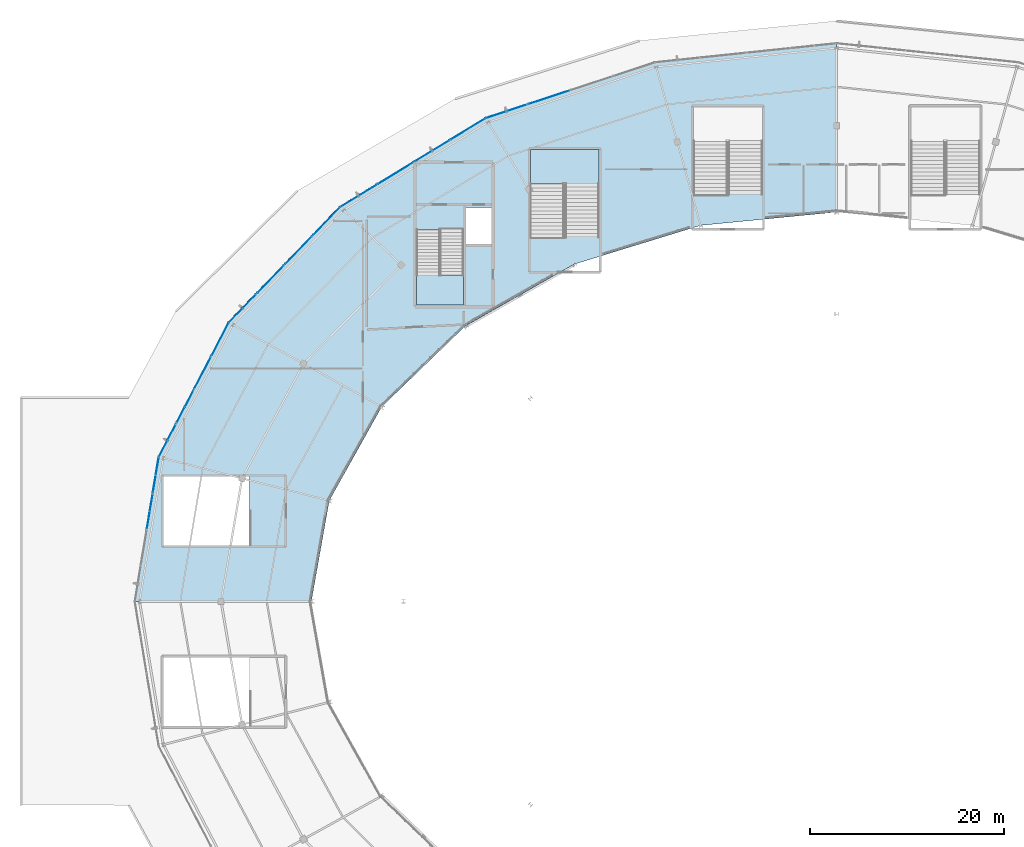
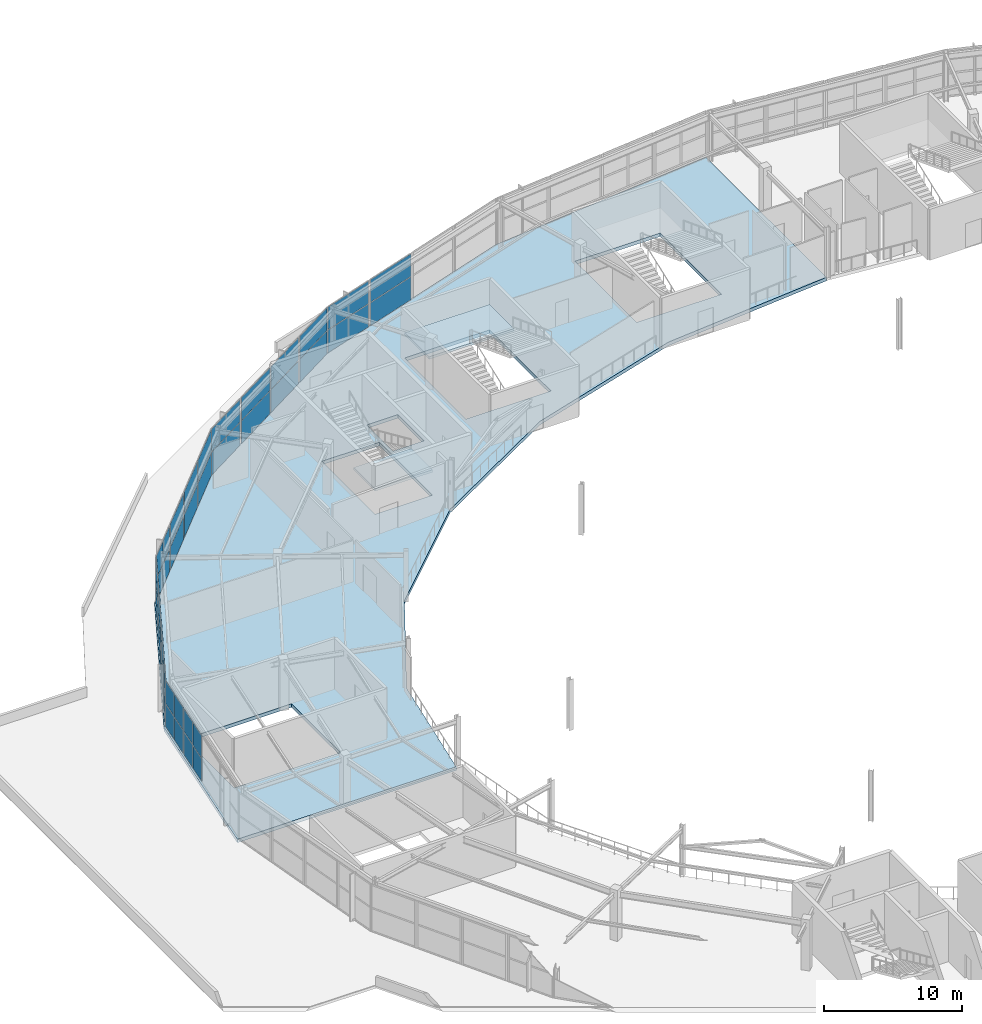
# One storey, part 97 of 126: 42 plates, 3 slabs, 18 elements without a shape of their own.
"""IFC4 building model written with IfcOpenShell, lengths in metres."""

from ifc_helpers import new_model, si_unit, direction, frame, origin, origin_2d, place, context, subcontext, project, spatial, polyline, rectangle, outline, extrude, material, layer, layer_set, type_object, element, aggregate, save


model = new_model("IFC4")

# Units and contexts
model_context = context("Model", 3, precision=1e-05, world=origin(), true_north=direction((0.0, 1.0)))
body_context = subcontext(model_context, "Body", "Model", "MODEL_VIEW")
ifc_project = project(units=[si_unit("LENGTHUNIT", "METRE"), si_unit("AREAUNIT", "SQUARE_METRE"), si_unit("VOLUMEUNIT", "CUBIC_METRE"), si_unit("PLANEANGLEUNIT", "RADIAN"), si_unit("MASSUNIT", "GRAM", prefix="KILO")], contexts=[model_context])

# Site, building, storey
site_placement = place(None, origin())
site = spatial("IfcSite", under=ifc_project, at=site_placement, CompositionType="ELEMENT")
building_placement = place(site_placement, origin())
building = spatial("IfcBuilding", under=site, at=building_placement, Name="Kalgoora Escarpment Arena", CompositionType="ELEMENT")
storey_placement = place(building_placement, frame((0.0, 0.0, 18.89990234375)))
storey = spatial("IfcBuildingStorey", under=building, at=storey_placement, Name="L04", CompositionType="ELEMENT", Elevation=18.89990234375)

# Curtain wall, plates
ifc_material_1 = material(Name=" Champagne anodised aluminium & double-glazed low-E", Category="aluminium")
ifc_layer_1 = layer(ifc_material_1, 0.154052734375)
ifc_layer_set_1 = layer_set([ifc_layer_1], Name="CW-UNIT-01")
curtain_wall_type_1 = type_object("IfcCurtainWallType", Name="CW-UNIT-01", PredefinedType="NOTDEFINED", material=ifc_layer_set_1)
curtain_wall_1_placement = place(storey_placement, origin())
curtain_wall_1 = element("IfcCurtainWall", 1, at=curtain_wall_1_placement, inside=storey, type_object=curtain_wall_type_1, Name="L04 unitised facade curtain wall 140", PredefinedType="NOTDEFINED")
ifc_material_2 = material(Name="Low-E double-glazed insulated glass", Category="glass")
ifc_layer_2 = layer(ifc_material_2, 0.028076171875)
ifc_layer_set_2 = layer_set([ifc_layer_2], Name="PLT-CW-GLAZ-28")
plate_type_1 = type_object("IfcPlateType", Name="PLT-CW-GLAZ-28", PredefinedType="CURTAIN_PANEL", material=ifc_layer_set_2)
plate_1_placement = place(storey_placement, frame((21.512939453125, 72.40673828125, 0.080078125), z_axis=(0.0, 0.0, 1.0), x_axis=(0.163252461087, 0.986584326831, 0.0)))
plate_1 = element("IfcPlate", 2, at=plate_1_placement, type_object=plate_type_1, Name="CW-01 panel 1.1", PredefinedType="CURTAIN_PANEL", context=body_context, shape_type="SweptSolid", body=[
    extrude(rectangle(XDim=1.741455078125, YDim=0.028076171875, at=origin_2d()), origin(), (0.0, 0.0, 1.0), 2.0),
])
plate_2_placement = place(storey_placement, frame((21.512939453125, 72.40673828125, 2.14013671875), z_axis=(0.0, 0.0, 1.0), x_axis=(0.163252461087, 0.986584326831, 0.0)))
plate_2 = element("IfcPlate", 3, at=plate_2_placement, type_object=plate_type_1, Name="CW-01 panel 1.2", PredefinedType="CURTAIN_PANEL", context=body_context, shape_type="SweptSolid", body=[
    extrude(rectangle(XDim=1.741455078125, YDim=0.028076171875, at=origin_2d()), origin(), (0.0, 0.0, 1.0), 1.97998046875),
])
plate_3_placement = place(storey_placement, frame((21.807861328125, 74.18896484375, 0.080078125), z_axis=(0.0, 0.0, 1.0), x_axis=(0.163252461087, 0.986584326831, 0.0)))
plate_3 = element("IfcPlate", 4, at=plate_3_placement, type_object=plate_type_1, Name="CW-01 panel 2.1", PredefinedType="CURTAIN_PANEL", context=body_context, shape_type="SweptSolid", body=[
    extrude(rectangle(XDim=1.741455078125, YDim=0.028076171875, at=origin_2d()), origin(), (0.0, 0.0, 1.0), 2.0),
])
plate_4_placement = place(storey_placement, frame((21.807861328125, 74.18896484375, 2.14013671875), z_axis=(0.0, 0.0, 1.0), x_axis=(0.163252461087, 0.986584326831, 0.0)))
plate_4 = element("IfcPlate", 5, at=plate_4_placement, type_object=plate_type_1, Name="CW-01 panel 2.2", PredefinedType="CURTAIN_PANEL", context=body_context, shape_type="SweptSolid", body=[
    extrude(rectangle(XDim=1.741455078125, YDim=0.028076171875, at=origin_2d()), origin(), (0.0, 0.0, 1.0), 1.97998046875),
])
aggregate(curtain_wall_1, [plate_1, plate_2, plate_3, plate_4])

ifc_material_3 = material(Name=" Champagne anodised aluminium & double-glazed low-E", Category="aluminium")
ifc_layer_3 = layer(ifc_material_3, 0.162109375)
ifc_layer_set_3 = layer_set([ifc_layer_3], Name="CW-UNIT-03")
curtain_wall_type_2 = type_object("IfcCurtainWallType", Name="CW-UNIT-03", PredefinedType="NOTDEFINED", material=ifc_layer_set_3)
curtain_wall_2_placement = place(storey_placement, origin())
curtain_wall_2 = element("IfcCurtainWall", 6, at=curtain_wall_2_placement, inside=storey, type_object=curtain_wall_type_2, Name="L04 unitised facade curtain wall 142", PredefinedType="NOTDEFINED")
plate_5_placement = place(storey_placement, frame((23.027099609375, 79.72412109375, 0.080078125), z_axis=(0.0, 0.0, 1.0), x_axis=(0.461806379771, 0.886980759432, 0.0)))
plate_5 = element("IfcPlate", 7, at=plate_5_placement, type_object=plate_type_1, Name="CW-03 panel 1.1", PredefinedType="CURTAIN_PANEL", context=body_context, shape_type="SweptSolid", body=[
    extrude(rectangle(XDim=1.835205078125, YDim=0.028076171875, at=origin_2d()), origin(), (0.0, 0.0, 1.0), 2.0),
])
plate_6_placement = place(storey_placement, frame((23.027099609375, 79.72412109375, 2.14013671875), z_axis=(0.0, 0.0, 1.0), x_axis=(0.461806379771, 0.886980759432, 0.0)))
plate_6 = element("IfcPlate", 8, at=plate_6_placement, type_object=plate_type_1, Name="CW-03 panel 1.2", PredefinedType="CURTAIN_PANEL", context=body_context, shape_type="SweptSolid", body=[
    extrude(rectangle(XDim=1.835205078125, YDim=0.028076171875, at=origin_2d()), origin(), (0.0, 0.0, 1.0), 1.97998046875),
])
plate_7_placement = place(storey_placement, frame((23.90478515625, 81.40966796875, 0.080078125), z_axis=(0.0, 0.0, 1.0), x_axis=(0.461806379771, 0.886980759432, 0.0)))
plate_7 = element("IfcPlate", 9, at=plate_7_placement, type_object=plate_type_1, Name="CW-03 panel 2.1", PredefinedType="CURTAIN_PANEL", context=body_context, shape_type="SweptSolid", body=[
    extrude(rectangle(XDim=1.835205078125, YDim=0.028076171875, at=origin_2d()), origin(), (0.0, 0.0, 1.0), 2.0),
])
plate_8_placement = place(storey_placement, frame((23.90478515625, 81.40966796875, 2.14013671875), z_axis=(0.0, 0.0, 1.0), x_axis=(0.461806379771, 0.886980759432, 0.0)))
plate_8 = element("IfcPlate", 10, at=plate_8_placement, type_object=plate_type_1, Name="CW-03 panel 2.2", PredefinedType="CURTAIN_PANEL", context=body_context, shape_type="SweptSolid", body=[
    extrude(rectangle(XDim=1.835205078125, YDim=0.028076171875, at=origin_2d()), origin(), (0.0, 0.0, 1.0), 1.97998046875),
])
aggregate(curtain_wall_2, [plate_5, plate_6, plate_7, plate_8])

ifc_material_4 = material(Name=" Champagne anodised aluminium & double-glazed low-E", Category="aluminium")
ifc_layer_4 = layer(ifc_material_4, 0.14990234375)
ifc_layer_set_4 = layer_set([ifc_layer_4], Name="CW-UNIT-05")
curtain_wall_type_3 = type_object("IfcCurtainWallType", Name="CW-UNIT-05", PredefinedType="NOTDEFINED", material=ifc_layer_set_4)
curtain_wall_3_placement = place(storey_placement, origin())
curtain_wall_3 = element("IfcCurtainWall", 11, at=curtain_wall_3_placement, inside=storey, type_object=curtain_wall_type_3, Name="L04 unitised facade curtain wall 144", PredefinedType="NOTDEFINED")
plate_9_placement = place(storey_placement, frame((27.093994140625, 87.53515625, 0.080078125), z_axis=(0.0, 0.0, 1.0), x_axis=(0.46179911912, 0.886984539651, 0.0)))
plate_9 = element("IfcPlate", 12, at=plate_9_placement, type_object=plate_type_1, Name="CW-05 panel 1.1", PredefinedType="CURTAIN_PANEL", context=body_context, shape_type="SweptSolid", body=[
    extrude(rectangle(XDim=3.685546875, YDim=0.028076171875, at=origin_2d()), origin(), (0.0, 0.0, 1.0), 2.0),
])
plate_10_placement = place(storey_placement, frame((27.093994140625, 87.53515625, 2.14013671875), z_axis=(0.0, 0.0, 1.0), x_axis=(0.46179911912, 0.886984539651, 0.0)))
plate_10 = element("IfcPlate", 13, at=plate_10_placement, type_object=plate_type_1, Name="CW-05 panel 1.2", PredefinedType="CURTAIN_PANEL", context=body_context, shape_type="SweptSolid", body=[
    extrude(rectangle(XDim=3.685546875, YDim=0.028076171875, at=origin_2d()), origin(), (0.0, 0.0, 1.0), 1.97998046875),
])
aggregate(curtain_wall_3, [plate_9, plate_10])

ifc_material_5 = material(Name=" Champagne anodised aluminium & double-glazed low-E", Category="aluminium")
ifc_layer_5 = layer(ifc_material_5, 0.157958984375)
ifc_layer_set_5 = layer_set([ifc_layer_5], Name="CW-UNIT-07")
curtain_wall_type_4 = type_object("IfcCurtainWallType", Name="CW-UNIT-07", PredefinedType="NOTDEFINED", material=ifc_layer_set_5)
curtain_wall_4_placement = place(storey_placement, origin())
curtain_wall_4 = element("IfcCurtainWall", 14, at=curtain_wall_4_placement, inside=storey, type_object=curtain_wall_type_4, Name="L04 unitised facade curtain wall 146", PredefinedType="NOTDEFINED")
plate_11_placement = place(storey_placement, frame((30.5078125, 93.465087890625, 0.080078125), z_axis=(0.0, 0.0, 1.0), x_axis=(0.69420247723, 0.719779772297, 0.0)))
plate_11 = element("IfcPlate", 15, at=plate_11_placement, type_object=plate_type_1, Name="CW-07 panel 1.1", PredefinedType="CURTAIN_PANEL", context=body_context, shape_type="SweptSolid", body=[
    extrude(rectangle(XDim=1.94921875, YDim=0.028076171875, at=origin_2d()), origin(), (0.0, 0.0, 1.0), 2.0),
])
plate_12_placement = place(storey_placement, frame((30.5078125, 93.465087890625, 2.14013671875), z_axis=(0.0, 0.0, 1.0), x_axis=(0.69420247723, 0.719779772297, 0.0)))
plate_12 = element("IfcPlate", 16, at=plate_12_placement, type_object=plate_type_1, Name="CW-07 panel 1.2", PredefinedType="CURTAIN_PANEL", context=body_context, shape_type="SweptSolid", body=[
    extrude(rectangle(XDim=1.94921875, YDim=0.028076171875, at=origin_2d()), origin(), (0.0, 0.0, 1.0), 1.97998046875),
])
plate_13_placement = place(storey_placement, frame((31.90625, 94.914794921875, 0.080078125), z_axis=(0.0, 0.0, 1.0), x_axis=(0.69420247723, 0.719779772297, 0.0)))
plate_13 = element("IfcPlate", 17, at=plate_13_placement, type_object=plate_type_1, Name="CW-07 panel 2.1", PredefinedType="CURTAIN_PANEL", context=body_context, shape_type="SweptSolid", body=[
    extrude(rectangle(XDim=1.94921875, YDim=0.028076171875, at=origin_2d()), origin(), (0.0, 0.0, 1.0), 2.0),
])
plate_14_placement = place(storey_placement, frame((31.90625, 94.914794921875, 2.14013671875), z_axis=(0.0, 0.0, 1.0), x_axis=(0.69420247723, 0.719779772297, 0.0)))
plate_14 = element("IfcPlate", 18, at=plate_14_placement, type_object=plate_type_1, Name="CW-07 panel 2.2", PredefinedType="CURTAIN_PANEL", context=body_context, shape_type="SweptSolid", body=[
    extrude(rectangle(XDim=1.94921875, YDim=0.028076171875, at=origin_2d()), origin(), (0.0, 0.0, 1.0), 1.97998046875),
])
aggregate(curtain_wall_4, [plate_11, plate_12, plate_13, plate_14])

ifc_material_6 = material(Name=" Champagne anodised aluminium & double-glazed low-E", Category="aluminium")
ifc_layer_6 = layer(ifc_material_6, 0.166015625)
ifc_layer_set_6 = layer_set([ifc_layer_6], Name="CW-UNIT-09")
curtain_wall_type_5 = type_object("IfcCurtainWallType", Name="CW-UNIT-09", PredefinedType="NOTDEFINED", material=ifc_layer_set_6)
curtain_wall_5_placement = place(storey_placement, origin())
curtain_wall_5 = element("IfcCurtainWall", 19, at=curtain_wall_5_placement, inside=storey, type_object=curtain_wall_type_5, Name="L04 unitised facade curtain wall 148", PredefinedType="NOTDEFINED")
plate_15_placement = place(storey_placement, frame((36.977294921875, 100.172607421875, 0.080078125), z_axis=(0.0, 0.0, 1.0), x_axis=(0.694205135116, 0.719777208849, 0.0)))
plate_15 = element("IfcPlate", 20, at=plate_15_placement, type_object=plate_type_1, Name="CW-09 panel 1.1", PredefinedType="CURTAIN_PANEL", context=body_context, shape_type="SweptSolid", body=[
    extrude(rectangle(XDim=3.91357421875, YDim=0.028076171875, at=origin_2d()), origin(), (0.0, 0.0, 1.0), 2.0),
])
plate_16_placement = place(storey_placement, frame((36.977294921875, 100.172607421875, 2.14013671875), z_axis=(0.0, 0.0, 1.0), x_axis=(0.694205135116, 0.719777208849, 0.0)))
plate_16 = element("IfcPlate", 21, at=plate_16_placement, type_object=plate_type_1, Name="CW-09 panel 1.2", PredefinedType="CURTAIN_PANEL", context=body_context, shape_type="SweptSolid", body=[
    extrude(rectangle(XDim=3.91357421875, YDim=0.028076171875, at=origin_2d()), origin(), (0.0, 0.0, 1.0), 1.97998046875),
])
aggregate(curtain_wall_5, [plate_15, plate_16])

ifc_material_7 = material(Name=" Champagne anodised aluminium & double-glazed low-E", Category="aluminium")
ifc_layer_7 = layer(ifc_material_7, 0.154052734375)
ifc_layer_set_7 = layer_set([ifc_layer_7], Name="CW-UNIT-11")
curtain_wall_type_6 = type_object("IfcCurtainWallType", Name="CW-UNIT-11", PredefinedType="NOTDEFINED", material=ifc_layer_set_7)
curtain_wall_6_placement = place(storey_placement, origin())
curtain_wall_6 = element("IfcCurtainWall", 22, at=curtain_wall_6_placement, inside=storey, type_object=curtain_wall_type_6, Name="L04 unitised facade curtain wall 150", PredefinedType="NOTDEFINED")
plate_17_placement = place(storey_placement, frame((43.145263671875, 105.77294921875, 0.0751953125), z_axis=(0.0, 0.0, 1.0), x_axis=(0.85353235978, 0.521039836105, 0.0)))
plate_17 = element("IfcPlate", 23, at=plate_17_placement, type_object=plate_type_1, Name="CW-11 panel 1.1", PredefinedType="CURTAIN_PANEL", context=body_context, shape_type="SweptSolid", body=[
    extrude(rectangle(XDim=4.27880859375, YDim=0.028076171875, at=origin_2d()), origin(), (0.0, 0.0, 1.0), 2.007568359375),
])
plate_18_placement = place(storey_placement, frame((43.145263671875, 105.77294921875, 2.1376953125), z_axis=(0.0, 0.0, 1.0), x_axis=(0.85353235978, 0.521039836105, 0.0)))
plate_18 = element("IfcPlate", 24, at=plate_18_placement, type_object=plate_type_1, Name="CW-11 panel 1.2", PredefinedType="CURTAIN_PANEL", context=body_context, shape_type="SweptSolid", body=[
    extrude(rectangle(XDim=4.27880859375, YDim=0.028076171875, at=origin_2d()), origin(), (0.0, 0.0, 1.0), 1.987548828125),
])
aggregate(curtain_wall_6, [plate_17, plate_18])

ifc_material_8 = material(Name=" Champagne anodised aluminium & double-glazed low-E", Category="aluminium")
ifc_layer_8 = layer(ifc_material_8, 0.162109375)
ifc_layer_set_8 = layer_set([ifc_layer_8], Name="CW-UNIT-13")
curtain_wall_type_7 = type_object("IfcCurtainWallType", Name="CW-UNIT-13", PredefinedType="NOTDEFINED", material=ifc_layer_set_8)
curtain_wall_7_placement = place(storey_placement, origin())
curtain_wall_7 = element("IfcCurtainWall", 25, at=curtain_wall_7_placement, inside=storey, type_object=curtain_wall_type_7, Name="L04 unitised facade curtain wall 152", PredefinedType="NOTDEFINED")
plate_19_placement = place(storey_placement, frame((50.7333984375, 110.4052734375, 0.0751953125), z_axis=(0.0, 0.0, 1.0), x_axis=(0.853527069701, 0.521048501858, 0.0)))
plate_19 = element("IfcPlate", 26, at=plate_19_placement, type_object=plate_type_1, Name="CW-13 panel 1.1", PredefinedType="CURTAIN_PANEL", context=body_context, shape_type="SweptSolid", body=[
    extrude(rectangle(XDim=4.132080078125, YDim=0.028076171875, at=origin_2d()), origin(), (0.0, 0.0, 1.0), 2.007568359375),
])
plate_20_placement = place(storey_placement, frame((50.7333984375, 110.4052734375, 2.1376953125), z_axis=(0.0, 0.0, 1.0), x_axis=(0.853527069701, 0.521048501858, 0.0)))
plate_20 = element("IfcPlate", 27, at=plate_20_placement, type_object=plate_type_1, Name="CW-13 panel 1.2", PredefinedType="CURTAIN_PANEL", context=body_context, shape_type="SweptSolid", body=[
    extrude(rectangle(XDim=4.132080078125, YDim=0.028076171875, at=origin_2d()), origin(), (0.0, 0.0, 1.0), 1.987548828125),
])
aggregate(curtain_wall_7, [plate_19, plate_20])

ifc_material_9 = material(Name=" Champagne anodised aluminium & double-glazed low-E", Category="aluminium")
ifc_layer_9 = layer(ifc_material_9, 0.14990234375)
ifc_layer_set_9 = layer_set([ifc_layer_9], Name="CW-UNIT-15")
curtain_wall_type_8 = type_object("IfcCurtainWallType", Name="CW-UNIT-15", PredefinedType="NOTDEFINED", material=ifc_layer_set_9)
curtain_wall_8_placement = place(storey_placement, origin())
curtain_wall_8 = element("IfcCurtainWall", 28, at=curtain_wall_8_placement, inside=storey, type_object=curtain_wall_type_8, Name="L04 unitised facade curtain wall 154", PredefinedType="NOTDEFINED")
plate_21_placement = place(storey_placement, frame((58.396484375, 114.48046875, 0.0751953125), z_axis=(0.0, 0.0, 1.0), x_axis=(0.949757785191, 0.312985861452, 0.0)))
plate_21 = element("IfcPlate", 29, at=plate_21_placement, type_object=plate_type_1, Name="CW-15 panel 1.1", PredefinedType="CURTAIN_PANEL", context=body_context, shape_type="SweptSolid", body=[
    extrude(rectangle(XDim=4.42626953125, YDim=0.028076171875, at=origin_2d()), origin(), (0.0, 0.0, 1.0), 2.007568359375),
])
plate_22_placement = place(storey_placement, frame((58.396484375, 114.48046875, 2.1376953125), z_axis=(0.0, 0.0, 1.0), x_axis=(0.949757785191, 0.312985861452, 0.0)))
plate_22 = element("IfcPlate", 30, at=plate_22_placement, type_object=plate_type_1, Name="CW-15 panel 1.2", PredefinedType="CURTAIN_PANEL", context=body_context, shape_type="SweptSolid", body=[
    extrude(rectangle(XDim=4.42626953125, YDim=0.028076171875, at=origin_2d()), origin(), (0.0, 0.0, 1.0), 1.987548828125),
])
aggregate(curtain_wall_8, [plate_21, plate_22])

ifc_material_10 = material(Name=" Champagne anodised aluminium & double-glazed low-E", Category="aluminium")
ifc_layer_10 = layer(ifc_material_10, 0.157958984375)
ifc_layer_set_10 = layer_set([ifc_layer_10], Name="CW-UNIT-02")
curtain_wall_type_9 = type_object("IfcCurtainWallType", Name="CW-UNIT-02", PredefinedType="NOTDEFINED", material=ifc_layer_set_10)
curtain_wall_9_placement = place(storey_placement, origin())
curtain_wall_9 = element("IfcCurtainWall", 31, at=curtain_wall_9_placement, inside=storey, type_object=curtain_wall_type_9, Name="L04 unitised facade curtain wall 141", PredefinedType="NOTDEFINED")
ifc_material_11 = material(Name="Acoustic laminated solar-control glass", Category="glass")
ifc_layer_11 = layer(ifc_material_11, 0.033935546875)
ifc_layer_set_11 = layer_set([ifc_layer_11], Name="PLT-CW-GLAZ-34")
plate_type_2 = type_object("IfcPlateType", Name="PLT-CW-GLAZ-34", PredefinedType="CURTAIN_PANEL", material=ifc_layer_set_11)
plate_23_placement = place(storey_placement, frame((22.131591796875, 76.146240234375, 0.080078125), z_axis=(0.0, 0.0, 1.0), x_axis=(0.163263482966, 0.986582502951, 0.0)))
plate_23 = element("IfcPlate", 32, at=plate_23_placement, type_object=plate_type_2, Name="CW-02 panel 1.1", PredefinedType="CURTAIN_PANEL", context=body_context, shape_type="SweptSolid", body=[
    extrude(rectangle(XDim=1.766357421875, YDim=0.033935546875, at=origin_2d()), origin(), (0.0, 0.0, 1.0), 2.0),
])
plate_24_placement = place(storey_placement, frame((22.131591796875, 76.146240234375, 2.14013671875), z_axis=(0.0, 0.0, 1.0), x_axis=(0.163263482966, 0.986582502951, 0.0)))
plate_24 = element("IfcPlate", 33, at=plate_24_placement, type_object=plate_type_2, Name="CW-02 panel 1.2", PredefinedType="CURTAIN_PANEL", context=body_context, shape_type="SweptSolid", body=[
    extrude(rectangle(XDim=1.766357421875, YDim=0.033935546875, at=origin_2d()), origin(), (0.0, 0.0, 1.0), 1.97998046875),
])
plate_25_placement = place(storey_placement, frame((22.4306640625, 77.952880859375, 0.080078125), z_axis=(0.0, 0.0, 1.0), x_axis=(0.163263482966, 0.986582502951, 0.0)))
plate_25 = element("IfcPlate", 34, at=plate_25_placement, type_object=plate_type_2, Name="CW-02 panel 2.1", PredefinedType="CURTAIN_PANEL", context=body_context, shape_type="SweptSolid", body=[
    extrude(rectangle(XDim=1.766357421875, YDim=0.033935546875, at=origin_2d()), origin(), (0.0, 0.0, 1.0), 2.0),
])
plate_26_placement = place(storey_placement, frame((22.4306640625, 77.952880859375, 2.14013671875), z_axis=(0.0, 0.0, 1.0), x_axis=(0.163263482966, 0.986582502951, 0.0)))
plate_26 = element("IfcPlate", 35, at=plate_26_placement, type_object=plate_type_2, Name="CW-02 panel 2.2", PredefinedType="CURTAIN_PANEL", context=body_context, shape_type="SweptSolid", body=[
    extrude(rectangle(XDim=1.766357421875, YDim=0.033935546875, at=origin_2d()), origin(), (0.0, 0.0, 1.0), 1.97998046875),
])
aggregate(curtain_wall_9, [plate_23, plate_24, plate_25, plate_26])

ifc_material_12 = material(Name=" Champagne anodised aluminium & double-glazed low-E", Category="aluminium")
ifc_layer_12 = layer(ifc_material_12, 0.166015625)
ifc_layer_set_12 = layer_set([ifc_layer_12], Name="CW-UNIT-04")
curtain_wall_type_10 = type_object("IfcCurtainWallType", Name="CW-UNIT-04", PredefinedType="NOTDEFINED", material=ifc_layer_set_12)
curtain_wall_10_placement = place(storey_placement, origin())
curtain_wall_10 = element("IfcCurtainWall", 36, at=curtain_wall_10_placement, inside=storey, type_object=curtain_wall_type_10, Name="L04 unitised facade curtain wall 143", PredefinedType="NOTDEFINED")
plate_27_placement = place(storey_placement, frame((24.852783203125, 83.23046875, 0.080078125), z_axis=(0.0, 0.0, 1.0), x_axis=(0.46179911912, 0.886984539651, 0.0)))
plate_27 = element("IfcPlate", 37, at=plate_27_placement, type_object=plate_type_2, Name="CW-04 panel 1.1", PredefinedType="CURTAIN_PANEL", context=body_context, shape_type="SweptSolid", body=[
    extrude(rectangle(XDim=1.810302734375, YDim=0.033935546875, at=origin_2d()), origin(), (0.0, 0.0, 1.0), 2.0),
])
plate_28_placement = place(storey_placement, frame((24.852783203125, 83.23046875, 2.14013671875), z_axis=(0.0, 0.0, 1.0), x_axis=(0.46179911912, 0.886984539651, 0.0)))
plate_28 = element("IfcPlate", 38, at=plate_28_placement, type_object=plate_type_2, Name="CW-04 panel 1.2", PredefinedType="CURTAIN_PANEL", context=body_context, shape_type="SweptSolid", body=[
    extrude(rectangle(XDim=1.810302734375, YDim=0.033935546875, at=origin_2d()), origin(), (0.0, 0.0, 1.0), 1.97998046875),
])
plate_29_placement = place(storey_placement, frame((25.71875, 84.893798828125, 0.080078125), z_axis=(0.0, 0.0, 1.0), x_axis=(0.46179911912, 0.886984539651, 0.0)))
plate_29 = element("IfcPlate", 39, at=plate_29_placement, type_object=plate_type_2, Name="CW-04 panel 2.1", PredefinedType="CURTAIN_PANEL", context=body_context, shape_type="SweptSolid", body=[
    extrude(rectangle(XDim=1.810302734375, YDim=0.033935546875, at=origin_2d()), origin(), (0.0, 0.0, 1.0), 2.0),
])
plate_30_placement = place(storey_placement, frame((25.71875, 84.893798828125, 2.14013671875), z_axis=(0.0, 0.0, 1.0), x_axis=(0.46179911912, 0.886984539651, 0.0)))
plate_30 = element("IfcPlate", 40, at=plate_30_placement, type_object=plate_type_2, Name="CW-04 panel 2.2", PredefinedType="CURTAIN_PANEL", context=body_context, shape_type="SweptSolid", body=[
    extrude(rectangle(XDim=1.810302734375, YDim=0.033935546875, at=origin_2d()), origin(), (0.0, 0.0, 1.0), 1.97998046875),
])
aggregate(curtain_wall_10, [plate_27, plate_28, plate_29, plate_30])

ifc_material_13 = material(Name=" Champagne anodised aluminium & double-glazed low-E", Category="aluminium")
ifc_layer_13 = layer(ifc_material_13, 0.154052734375)
ifc_layer_set_13 = layer_set([ifc_layer_13], Name="CW-UNIT-06")
curtain_wall_type_11 = type_object("IfcCurtainWallType", Name="CW-UNIT-06", PredefinedType="NOTDEFINED", material=ifc_layer_set_13)
curtain_wall_11_placement = place(storey_placement, origin())
curtain_wall_11 = element("IfcCurtainWall", 41, at=curtain_wall_11_placement, inside=storey, type_object=curtain_wall_type_11, Name="L04 unitised facade curtain wall 145", PredefinedType="NOTDEFINED")
plate_31_placement = place(storey_placement, frame((28.91357421875, 91.0302734375, 0.080078125), z_axis=(0.0, 0.0, 1.0), x_axis=(0.461795783252, 0.886986276427, 0.0)))
plate_31 = element("IfcPlate", 42, at=plate_31_placement, type_object=plate_type_2, Name="CW-06 panel 1.1", PredefinedType="CURTAIN_PANEL", context=body_context, shape_type="SweptSolid", body=[
    extrude(rectangle(XDim=3.735595703125, YDim=0.033935546875, at=origin_2d()), origin(), (0.0, 0.0, 1.0), 2.0),
])
plate_32_placement = place(storey_placement, frame((28.91357421875, 91.0302734375, 2.14013671875), z_axis=(0.0, 0.0, 1.0), x_axis=(0.461795783252, 0.886986276427, 0.0)))
plate_32 = element("IfcPlate", 43, at=plate_32_placement, type_object=plate_type_2, Name="CW-06 panel 1.2", PredefinedType="CURTAIN_PANEL", context=body_context, shape_type="SweptSolid", body=[
    extrude(rectangle(XDim=3.735595703125, YDim=0.033935546875, at=origin_2d()), origin(), (0.0, 0.0, 1.0), 1.97998046875),
])
aggregate(curtain_wall_11, [plate_31, plate_32])

ifc_material_14 = material(Name=" Champagne anodised aluminium & double-glazed low-E", Category="aluminium")
ifc_layer_14 = layer(ifc_material_14, 0.162109375)
ifc_layer_set_14 = layer_set([ifc_layer_14], Name="CW-UNIT-08")
curtain_wall_type_12 = type_object("IfcCurtainWallType", Name="CW-UNIT-08", PredefinedType="NOTDEFINED", material=ifc_layer_set_14)
curtain_wall_12_placement = place(storey_placement, origin())
curtain_wall_12 = element("IfcCurtainWall", 44, at=curtain_wall_12_placement, inside=storey, type_object=curtain_wall_type_12, Name="L04 unitised facade curtain wall 147", PredefinedType="NOTDEFINED")
plate_33_placement = place(storey_placement, frame((34.100830078125, 97.190185546875, 0.080078125), z_axis=(0.0, 0.0, 1.0), x_axis=(0.694205135116, 0.719777208849, 0.0)))
plate_33 = element("IfcPlate", 45, at=plate_33_placement, type_object=plate_type_2, Name="CW-08 panel 1.1", PredefinedType="CURTAIN_PANEL", context=body_context, shape_type="SweptSolid", body=[
    extrude(rectangle(XDim=3.91357421875, YDim=0.033935546875, at=origin_2d()), origin(), (0.0, 0.0, 1.0), 2.0),
])
plate_34_placement = place(storey_placement, frame((34.100830078125, 97.190185546875, 2.14013671875), z_axis=(0.0, 0.0, 1.0), x_axis=(0.694205135116, 0.719777208849, 0.0)))
plate_34 = element("IfcPlate", 46, at=plate_34_placement, type_object=plate_type_2, Name="CW-08 panel 1.2", PredefinedType="CURTAIN_PANEL", context=body_context, shape_type="SweptSolid", body=[
    extrude(rectangle(XDim=3.91357421875, YDim=0.033935546875, at=origin_2d()), origin(), (0.0, 0.0, 1.0), 1.97998046875),
])
aggregate(curtain_wall_12, [plate_33, plate_34])

ifc_material_15 = material(Name=" Champagne anodised aluminium & double-glazed low-E", Category="aluminium")
ifc_layer_15 = layer(ifc_material_15, 0.14990234375)
ifc_layer_set_15 = layer_set([ifc_layer_15], Name="CW-UNIT-10")
curtain_wall_type_13 = type_object("IfcCurtainWallType", Name="CW-UNIT-10", PredefinedType="NOTDEFINED", material=ifc_layer_set_15)
curtain_wall_13_placement = place(storey_placement, origin())
curtain_wall_13 = element("IfcCurtainWall", 47, at=curtain_wall_13_placement, inside=storey, type_object=curtain_wall_type_13, Name="L04 unitised facade curtain wall 149", PredefinedType="NOTDEFINED")
plate_35_placement = place(storey_placement, frame((39.87109375, 103.1728515625, 0.080078125), z_axis=(0.0, 0.0, 1.0), x_axis=(0.69420247723, 0.719779772297, 0.0)))
plate_35 = element("IfcPlate", 48, at=plate_35_placement, type_object=plate_type_2, Name="CW-10 panel 1.1", PredefinedType="CURTAIN_PANEL", context=body_context, shape_type="SweptSolid", body=[
    extrude(rectangle(XDim=3.96337890625, YDim=0.033935546875, at=origin_2d()), origin(), (0.0, 0.0, 1.0), 2.0),
])
plate_36_placement = place(storey_placement, frame((39.87109375, 103.1728515625, 2.14013671875), z_axis=(0.0, 0.0, 1.0), x_axis=(0.69420247723, 0.719779772297, 0.0)))
plate_36 = element("IfcPlate", 49, at=plate_36_placement, type_object=plate_type_2, Name="CW-10 panel 1.2", PredefinedType="CURTAIN_PANEL", context=body_context, shape_type="SweptSolid", body=[
    extrude(rectangle(XDim=3.96337890625, YDim=0.033935546875, at=origin_2d()), origin(), (0.0, 0.0, 1.0), 1.97998046875),
])
aggregate(curtain_wall_13, [plate_35, plate_36])

ifc_material_16 = material(Name=" Champagne anodised aluminium & double-glazed low-E", Category="aluminium")
ifc_layer_16 = layer(ifc_material_16, 0.157958984375)
ifc_layer_set_16 = layer_set([ifc_layer_16], Name="CW-UNIT-12")
curtain_wall_type_14 = type_object("IfcCurtainWallType", Name="CW-UNIT-12", PredefinedType="NOTDEFINED", material=ifc_layer_set_16)
curtain_wall_14_placement = place(storey_placement, origin())
curtain_wall_14 = element("IfcCurtainWall", 50, at=curtain_wall_14_placement, inside=storey, type_object=curtain_wall_type_14, Name="L04 unitised facade curtain wall 151", PredefinedType="NOTDEFINED")
plate_37_placement = place(storey_placement, frame((46.9853515625, 108.1171875, 0.0751953125), z_axis=(0.0, 0.0, 1.0), x_axis=(0.853516077733, 0.52106650732, 0.0)))
plate_37 = element("IfcPlate", 51, at=plate_37_placement, type_object=plate_type_2, Name="CW-12 panel 1.1", PredefinedType="CURTAIN_PANEL", context=body_context, shape_type="SweptSolid", body=[
    extrude(rectangle(XDim=4.27880859375, YDim=0.033935546875, at=origin_2d()), origin(), (0.0, 0.0, 1.0), 2.007568359375),
])
plate_38_placement = place(storey_placement, frame((46.9853515625, 108.1171875, 2.1376953125), z_axis=(0.0, 0.0, 1.0), x_axis=(0.853516077733, 0.52106650732, 0.0)))
plate_38 = element("IfcPlate", 52, at=plate_38_placement, type_object=plate_type_2, Name="CW-12 panel 1.2", PredefinedType="CURTAIN_PANEL", context=body_context, shape_type="SweptSolid", body=[
    extrude(rectangle(XDim=4.27880859375, YDim=0.033935546875, at=origin_2d()), origin(), (0.0, 0.0, 1.0), 1.987548828125),
])
aggregate(curtain_wall_14, [plate_37, plate_38])

ifc_material_17 = material(Name=" Champagne anodised aluminium & double-glazed low-E", Category="aluminium")
ifc_layer_17 = layer(ifc_material_17, 0.166015625)
ifc_layer_set_17 = layer_set([ifc_layer_17], Name="CW-UNIT-14")
curtain_wall_type_15 = type_object("IfcCurtainWallType", Name="CW-UNIT-14", PredefinedType="NOTDEFINED", material=ifc_layer_set_17)
curtain_wall_15_placement = place(storey_placement, origin())
curtain_wall_15 = element("IfcCurtainWall", 53, at=curtain_wall_15_placement, inside=storey, type_object=curtain_wall_type_15, Name="L04 unitised facade curtain wall 153", PredefinedType="NOTDEFINED")
plate_39_placement = place(storey_placement, frame((54.447998046875, 112.6728515625, 0.0751953125), z_axis=(0.0, 0.0, 1.0), x_axis=(0.853520684485, 0.521058961304, 0.0)))
plate_39 = element("IfcPlate", 54, at=plate_39_placement, type_object=plate_type_2, Name="CW-14 panel 1.1", PredefinedType="CURTAIN_PANEL", context=body_context, shape_type="SweptSolid", body=[
    extrude(rectangle(XDim=4.1318359375, YDim=0.033935546875, at=origin_2d()), origin(), (0.0, 0.0, 1.0), 2.007568359375),
])
plate_40_placement = place(storey_placement, frame((54.447998046875, 112.6728515625, 2.1376953125), z_axis=(0.0, 0.0, 1.0), x_axis=(0.853520684485, 0.521058961304, 0.0)))
plate_40 = element("IfcPlate", 55, at=plate_40_placement, type_object=plate_type_2, Name="CW-14 panel 1.2", PredefinedType="CURTAIN_PANEL", context=body_context, shape_type="SweptSolid", body=[
    extrude(rectangle(XDim=4.1318359375, YDim=0.033935546875, at=origin_2d()), origin(), (0.0, 0.0, 1.0), 1.987548828125),
])
aggregate(curtain_wall_15, [plate_39, plate_40])

ifc_material_18 = material(Name=" Champagne anodised aluminium & double-glazed low-E", Category="aluminium")
ifc_layer_18 = layer(ifc_material_18, 0.154052734375)
ifc_layer_set_18 = layer_set([ifc_layer_18], Name="CW-UNIT-16")
curtain_wall_type_16 = type_object("IfcCurtainWallType", Name="CW-UNIT-16", PredefinedType="NOTDEFINED", material=ifc_layer_set_18)
curtain_wall_16_placement = place(storey_placement, origin())
curtain_wall_16 = element("IfcCurtainWall", 56, at=curtain_wall_16_placement, inside=storey, type_object=curtain_wall_type_16, Name="L04 unitised facade curtain wall 155", PredefinedType="NOTDEFINED")
plate_41_placement = place(storey_placement, frame((62.78564453125, 115.927001953125, 0.0751953125), z_axis=(0.0, 0.0, 1.0), x_axis=(0.94975644114, 0.312989939956, 0.0)))
plate_41 = element("IfcPlate", 57, at=plate_41_placement, type_object=plate_type_2, Name="CW-16 panel 1.1", PredefinedType="CURTAIN_PANEL", context=body_context, shape_type="SweptSolid", body=[
    extrude(rectangle(XDim=4.376220703125, YDim=0.033935546875, at=origin_2d()), origin(), (0.0, 0.0, 1.0), 2.007568359375),
])
plate_42_placement = place(storey_placement, frame((62.78564453125, 115.927001953125, 2.1376953125), z_axis=(0.0, 0.0, 1.0), x_axis=(0.94975644114, 0.312989939956, 0.0)))
plate_42 = element("IfcPlate", 58, at=plate_42_placement, type_object=plate_type_2, Name="CW-16 panel 1.2", PredefinedType="CURTAIN_PANEL", context=body_context, shape_type="SweptSolid", body=[
    extrude(rectangle(XDim=4.376220703125, YDim=0.033935546875, at=origin_2d()), origin(), (0.0, 0.0, 1.0), 1.987548828125),
])
aggregate(curtain_wall_16, [plate_41, plate_42])

# Slab
ifc_material_19 = material(Name="Concrete N50 (fc' 50 MPa)", Category="concrete")
ifc_layer_19 = layer(ifc_material_19, 0.31005859375)
ifc_layer_set_19 = layer_set([ifc_layer_19], Name="SLB-SKY-310")
slab_type_1 = type_object("IfcSlabType", Name="SLB-SKY-310", PredefinedType="FLOOR", material=ifc_layer_set_19)
slab_1_placement = place(storey_placement, frame((0.0, 0.0, -0.309814453125)))
element("IfcSlab", 59, at=slab_1_placement, inside=storey, type_object=slab_type_1, Name="L04 concourse ring NW floor slab", PredefinedType="FLOOR", context=body_context, shape_type="SweptSolid", body=[
    extrude(outline(polyline([(22.467041015625, 78.907958984375), (29.69970703125, 92.800048828125), (41.20556640625, 104.7294921875), (56.199951171875, 113.883056640625), (73.66162109375, 119.63720703125), (92.39990234375, 121.60009765625), (92.39990234375, 104.10009765625), (78.39794921875, 102.733642578125), (65.35009765625, 98.7275390625), (54.1455078125, 92.35498046875), (45.548095703125, 84.050048828125), (40.143310546875, 74.378662109375), (38.300048828125, 64.0), (20.0, 64.0), (22.467041015625, 78.907958984375)]), holes=[polyline([(23.050048828125, 76.85009765625), (23.050048828125, 69.75), (31.949951171875, 69.75), (31.949951171875, 76.85009765625), (23.050048828125, 76.85009765625)]), polyline([(49.14990234375, 102.25), (49.14990234375, 94.550048828125), (53.949951171875, 94.550048828125), (53.949951171875, 102.25), (49.14990234375, 102.25)]), polyline([(54.25, 104.60009765625), (54.25, 100.800048828125), (56.85009765625, 100.800048828125), (56.85009765625, 104.60009765625), (54.25, 104.60009765625)]), polyline([(67.949951171875, 110.550048828125), (60.85009765625, 110.550048828125), (60.85009765625, 101.64990234375), (67.949951171875, 101.64990234375), (67.949951171875, 110.550048828125)]), polyline([(84.75, 114.949951171875), (77.64990234375, 114.949951171875), (77.64990234375, 106.050048828125), (84.75, 106.050048828125), (84.75, 114.949951171875)])]), origin(), (0.0, 0.0, 1.0), 0.309814453125),
])

# Stair, slab
ifc_material_20 = material(Name="Concrete N40 (fc' 40 MPa)", Category="concrete")
stair_type_1 = type_object("IfcStairType", Name="STR-EXIT-3", PredefinedType="HALF_TURN_STAIR", material=ifc_material_20)
stair_1_placement = place(storey_placement, origin())
stair_1 = element("IfcStair", 60, at=stair_1_placement, inside=storey, type_object=stair_type_1, Name="Fire-isolated exit stair ST03 (L04)", PredefinedType="HALF_TURN_STAIR")
ifc_material_21 = material(Name="Concrete N40 (fc' 40 MPa)", Category="concrete")
ifc_layer_20 = layer(ifc_material_21, 0.219970703125)
ifc_layer_set_20 = layer_set([ifc_layer_20], Name="SLB-ST-LAND-220")
slab_type_2 = type_object("IfcSlabType", Name="SLB-ST-LAND-220", PredefinedType="LANDING", material=ifc_layer_set_20)
slab_2_placement = place(storey_placement, frame((0.0, 0.0, 2.030029296875)))
slab_2 = element("IfcSlab", 61, at=slab_2_placement, type_object=slab_type_2, Name="ST03 L04 half-landing", PredefinedType="LANDING", context=body_context, shape_type="SweptSolid", body=[
    extrude(outline(polyline([(53.949951171875, 97.639892578125), (53.949951171875, 94.550048828125), (49.14990234375, 94.550048828125), (49.14990234375, 97.639892578125), (53.949951171875, 97.639892578125)])), origin(), (0.0, 0.0, 1.0), 0.219970703125),
])
aggregate(stair_1, [slab_2])

ifc_material_22 = material(Name="Precast concrete N50 (fc' 50 MPa)", Category="concrete")
stair_type_2 = type_object("IfcStairType", Name="STR-STAD-1", PredefinedType="HALF_TURN_STAIR", material=ifc_material_22)
stair_2_placement = place(storey_placement, origin())
stair_2 = element("IfcStair", 62, at=stair_2_placement, inside=storey, type_object=stair_type_2, Name="Fire-isolated exit stair ST09 (L04)", PredefinedType="HALF_TURN_STAIR")
slab_3_placement = place(storey_placement, frame((0.0, 0.0, 2.030029296875)))
slab_3 = element("IfcSlab", 63, at=slab_3_placement, type_object=slab_type_2, Name="ST09 L04 half-landing", PredefinedType="LANDING", context=body_context, shape_type="SweptSolid", body=[
    extrude(outline(polyline([(60.85009765625, 107.0), (60.85009765625, 110.550048828125), (67.949951171875, 110.550048828125), (67.949951171875, 107.0), (60.85009765625, 107.0)])), origin(), (0.0, 0.0, 1.0), 0.219970703125),
])
aggregate(stair_2, [slab_3])

save(model, "model.ifc")
